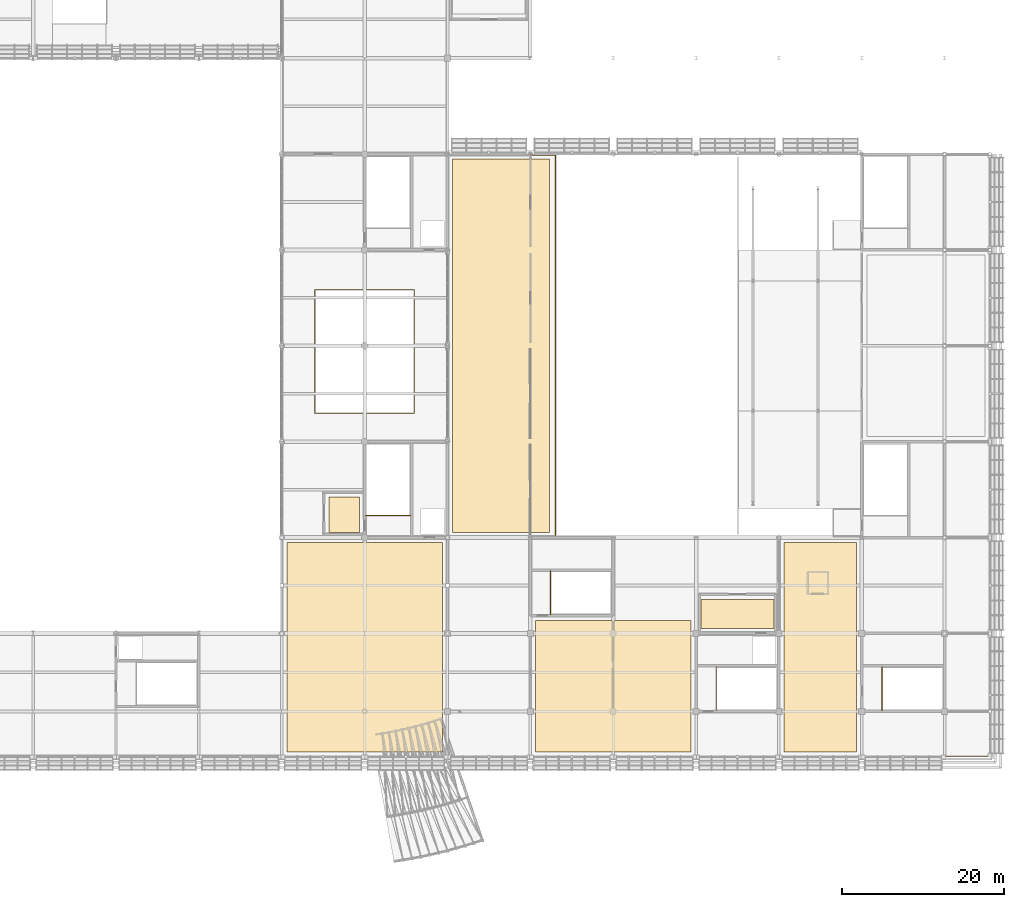
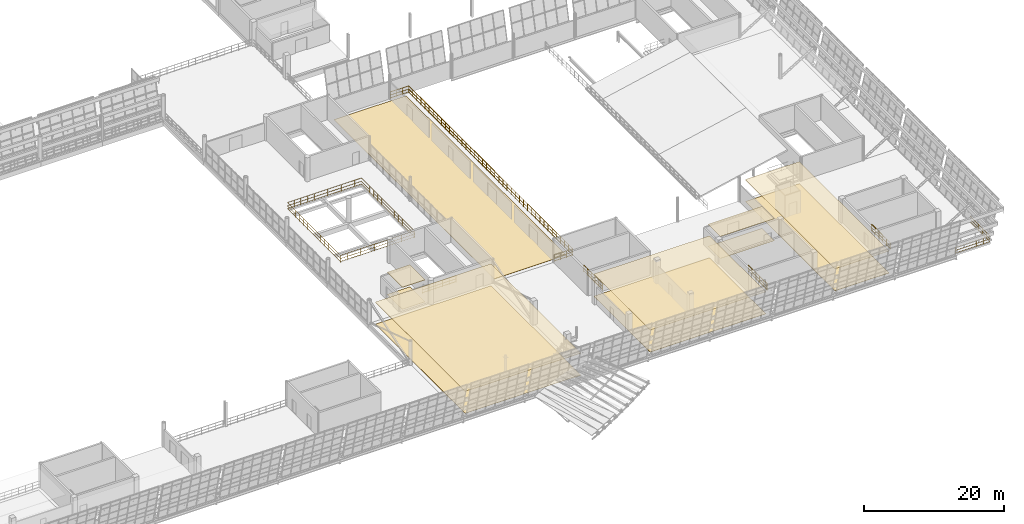
# One storey, part 153 of 157: 11 coverings, 7 railings.
"""IFC4 building model written with IfcOpenShell, lengths in metres."""

import ifcopenshell
import ifcopenshell.guid

model = None  # the IFC model being written
_history = None  # IfcOwnerHistory: only IFC2X3 demands one
_inside = {}  # id of a spatial element -> (the spatial element, [elements in it])
_under = {}  # id of a project, library or spatial element -> (it, [spatial elements below it])
_declared = {}  # id of a project -> (the project, [libraries it declares])
_typed = {}  # id of a type object -> (the type object, [elements of that type])
_made_of = {}  # id of a material, layer set ... -> (it, [elements and type objects made of it])


def new_model(schema):
    """Start an empty IFC model of exactly this schema.

    Asked for "IFC4X3", IfcOpenShell would pick the latest addendum, in which some entities
    have other attributes; the version numbers below select the first issue.
    IFC2X3 requires an IfcOwnerHistory on every rooted entity: one is made here for all.
    """
    global model, _history
    if schema == "IFC4X3":
        model = ifcopenshell.file(schema_version=(4, 3, 0, 0))
    else:
        model = ifcopenshell.file(schema=schema)
    _inside.clear()
    _under.clear()
    _declared.clear()
    _typed.clear()
    _made_of.clear()
    _history = None
    if model.schema == "IFC2X3":
        org = make("IfcOrganization", Name="unknown")
        user = make(
            "IfcPersonAndOrganization",
            ThePerson=make("IfcPerson", FamilyName="unknown"),
            TheOrganization=org,
        )
        app = make(
            "IfcApplication",
            ApplicationDeveloper=org,
            Version="unknown",
            ApplicationFullName="unknown",
            ApplicationIdentifier="unknown",
        )
        _history = make(
            "IfcOwnerHistory",
            OwningUser=user,
            OwningApplication=app,
            ChangeAction="ADDED",
            CreationDate=0,
        )
    return model


def make(cls, **values):
    """One entity of the class cls with the attributes given. An attribute that is None is left unset."""
    return model.create_entity(
        cls, **{name: value for name, value in values.items() if value is not None}
    )


def rooted(cls, **values):
    """An entity with a GlobalId (a new one), such as an element, a storey or a relation."""
    return make(cls, GlobalId=ifcopenshell.guid.new(), OwnerHistory=_history, **values)


def si_unit(unit_type, name, prefix=None):
    """IfcSIUnit, for example si_unit("LENGTHUNIT", "METRE", prefix="MILLI")."""
    return make("IfcSIUnit", UnitType=unit_type, Prefix=prefix, Name=name)


def assignment(units):
    """IfcUnitAssignment: the units of a project."""
    return None if units is None else make("IfcUnitAssignment", Units=units)


def point(xyz):
    """IfcCartesianPoint."""
    return None if xyz is None else make("IfcCartesianPoint", Coordinates=xyz)


def direction(xyz):
    """IfcDirection."""
    return None if xyz is None else make("IfcDirection", DirectionRatios=xyz)


def frame(location, z_axis=None, x_axis=None):
    """IfcAxis2Placement3D, a coordinate frame: its origin and axes. An axis left out is left unset."""
    return make(
        "IfcAxis2Placement3D",
        Location=point(location),
        Axis=direction(z_axis),
        RefDirection=direction(x_axis),
    )


def frame_2d(location, x_axis=None):
    """IfcAxis2Placement2D, a coordinate frame in the plane: its origin and x axis."""
    return make(
        "IfcAxis2Placement2D", Location=point(location), RefDirection=direction(x_axis)
    )


def origin():
    """The frame at (0, 0, 0) with its axes left unset."""
    return frame((0.0, 0.0, 0.0))


def origin_2d():
    """The frame at (0, 0) in the plane with its x axis left unset."""
    return frame_2d((0.0, 0.0))


def place(relative_to, where):
    """IfcLocalPlacement: puts the frame where relative to a parent placement (None: the world)."""
    return make(
        "IfcLocalPlacement", PlacementRelTo=relative_to, RelativePlacement=where
    )


def context(
    kind, dimensions, precision=None, world=None, true_north=None, identifier=None
):
    """IfcGeometricRepresentationContext, for example the 3D "Model" context."""
    return make(
        "IfcGeometricRepresentationContext",
        ContextIdentifier=identifier,
        ContextType=kind,
        CoordinateSpaceDimension=dimensions,
        Precision=precision,
        WorldCoordinateSystem=world,
        TrueNorth=true_north,
    )


def subcontext(parent, identifier, kind, view, scale=None):
    """IfcGeometricRepresentationSubContext, for example "Body" below "Model"."""
    return make(
        "IfcGeometricRepresentationSubContext",
        ContextIdentifier=identifier,
        ContextType=kind,
        ParentContext=parent,
        TargetScale=scale,
        TargetView=view,
    )


def project(units=None, contexts=None):
    """IfcProject with its units and contexts."""
    return rooted(
        "IfcProject",
        Name="project",
        RepresentationContexts=contexts,
        UnitsInContext=assignment(units),
    )


def spatial(cls, under=None, at=None, **own):
    """A site, building, storey or space (cls), placed at a placement, below another one or the project."""
    s = rooted(cls, ObjectPlacement=at, **own)
    if under is not None:
        _under.setdefault(under.id(), (under, []))[1].append(s)
    return s


def polyline(points):
    """IfcPolyline through the points."""
    return make("IfcPolyline", Points=[point(p) for p in points])


def profile(cls, at=None, kind="AREA", **sizes):
    """A parametric profile (cls). Its sizes go by their IFC names, for example OverallWidth=200.0."""
    return make(cls, ProfileType=kind, Position=at, **sizes)


def circle(**sizes):
    """IfcCircleProfileDef."""
    return profile("IfcCircleProfileDef", **sizes)


def outline(outer, holes=None, kind="AREA"):
    """IfcArbitraryClosedProfileDef: a profile drawn as a closed curve; with holes, ...WithVoids."""
    if holes is None:
        return make("IfcArbitraryClosedProfileDef", ProfileType=kind, OuterCurve=outer)
    return make(
        "IfcArbitraryProfileDefWithVoids",
        ProfileType=kind,
        OuterCurve=outer,
        InnerCurves=holes,
    )


def extrude(swept, where, along, depth):
    """IfcExtrudedAreaSolid: the profile swept, set in the frame where, extruded along a direction by depth."""
    return make(
        "IfcExtrudedAreaSolid",
        SweptArea=swept,
        Position=where,
        ExtrudedDirection=direction(along),
        Depth=depth,
    )


def shape(context_of_items, identifier, shape_type, items):
    """IfcShapeRepresentation: the items that make up one representation, for example the "Body"."""
    return make(
        "IfcShapeRepresentation",
        ContextOfItems=context_of_items,
        RepresentationIdentifier=identifier,
        RepresentationType=shape_type,
        Items=items,
    )


def material(Name=None, Category=None):
    """IfcMaterial."""
    return make("IfcMaterial", Name=Name, Category=Category)


def layer(
    of_material, thickness, ventilated=None, Name=None, Category=None, Priority=None
):
    """IfcMaterialLayer: one layer of a wall or slab, of a material (None: an air gap)."""
    return make(
        "IfcMaterialLayer",
        Material=of_material,
        LayerThickness=thickness,
        IsVentilated=ventilated,
        Name=Name,
        Category=Category,
        Priority=Priority,
    )


def layer_set(layers, Name=None):
    """IfcMaterialLayerSet."""
    return make("IfcMaterialLayerSet", MaterialLayers=layers, LayerSetName=Name)


def made_of(thing, what):
    """Note that an element or type object is made of a material, layer set ...; save() writes the relation."""
    if what is not None:
        _made_of.setdefault(what.id(), (what, []))[1].append(thing)
    return thing


def type_object(cls, material=None, **own):
    """A type object (cls), such as IfcWallType, which elements share."""
    return made_of(rooted(cls, **own), material)


def element(
    cls,
    number,
    at=None,
    inside=None,
    cuts=None,
    type_object=None,
    material=None,
    context=None,
    identifier="Body",
    shape_type=None,
    held_by="IfcProductDefinitionShape",
    body=None,
    shapes=None,
    **own,
):
    """One element of the class cls, such as IfcWall. Its Tag is "e" and its number.

    at: its placement. inside: the storey or other place that contains it. cuts: it is an
    opening in that element (IfcRelVoidsElement). A single representation is given by context,
    identifier, shape_type and body (its items); several are given by shapes. held_by: the class
    of the entity that holds the representations. save() writes the other relations.
    """
    e = rooted(cls, Tag="e%d" % number, ObjectPlacement=at, **own)
    if body is not None:
        shapes = [shape(context, identifier, shape_type, body)]
    if shapes is not None:
        e.Representation = make(held_by, Representations=shapes)
    if inside is not None:
        _inside.setdefault(inside.id(), (inside, []))[1].append(e)
    if cuts is not None:
        rooted(
            "IfcRelVoidsElement", RelatingBuildingElement=cuts, RelatedOpeningElement=e
        )
    if type_object is not None:
        _typed.setdefault(type_object.id(), (type_object, []))[1].append(e)
    return made_of(e, material)


def aggregate(whole, parts):
    """IfcRelAggregates: a whole, such as a stair, and the parts it consists of."""
    return rooted("IfcRelAggregates", RelatingObject=whole, RelatedObjects=parts)


def save(model, path):
    """Write the relations noted so far, then the file.

    IfcRelAggregates (storeys below a building ...), IfcRelContainedInSpatialStructure (elements
    in a storey), IfcRelDefinesByType, IfcRelAssociatesMaterial and IfcRelDeclares: one each for
    every whole, place, type object, material and project.
    """
    for whole, parts in _under.values():
        aggregate(whole, parts)
    for where, things in _inside.values():
        rooted(
            "IfcRelContainedInSpatialStructure",
            RelatedElements=things,
            RelatingStructure=where,
        )
    for kind, things in _typed.values():
        rooted("IfcRelDefinesByType", RelatedObjects=things, RelatingType=kind)
    for what, things in _made_of.values():
        rooted("IfcRelAssociatesMaterial", RelatedObjects=things, RelatingMaterial=what)
    for by, libraries in _declared.values():
        rooted("IfcRelDeclares", RelatingContext=by, RelatedDefinitions=libraries)
    model.write(path)


model = new_model("IFC4")

# Units and contexts
model_context = context("Model", 3, precision=1e-05, world=origin(), true_north=direction((0.0, 1.0)))
body_context = subcontext(model_context, "Body", "Model", "MODEL_VIEW")
ifc_project = project(units=[si_unit("LENGTHUNIT", "METRE"), si_unit("AREAUNIT", "SQUARE_METRE"), si_unit("VOLUMEUNIT", "CUBIC_METRE"), si_unit("PLANEANGLEUNIT", "RADIAN"), si_unit("MASSUNIT", "GRAM", prefix="KILO")], contexts=[model_context])

# Site, building, storey
site_placement = place(None, origin())
site = spatial("IfcSite", under=ifc_project, at=site_placement, CompositionType="ELEMENT")
building_placement = place(site_placement, origin())
building = spatial("IfcBuilding", under=site, at=building_placement, Name="Brelvane Convention Centre", CompositionType="ELEMENT")
storey_placement = place(building_placement, frame((0.0, 0.0, 10.800048828125)))
storey = spatial("IfcBuildingStorey", under=building, at=storey_placement, Name="L02", CompositionType="ELEMENT", Elevation=10.800048828125)

# Coverings
ifc_material_1 = material(Name="Perforated Anodised Aluminium Alloy 6063 Acoustic Baffle", Category="aluminium")
ifc_layer_1 = layer(ifc_material_1, 0.06005859375)
ifc_layer_set_1 = layer_set([ifc_layer_1], Name="Perforated Anodised Aluminium Alloy 6063 Acoustic Baffle")
covering_type_1 = type_object("IfcCoveringType", Name="Interior Finish CL-BAF-60", PredefinedType="CEILING", material=ifc_layer_set_1)
covering_1_placement = place(storey_placement, frame((0.0, 0.0, 3.83984375)))
element("IfcCovering", 1, at=covering_1_placement, inside=storey, type_object=covering_type_1, Name="Business Centre Bilateral Suite B Acoustic Ceiling (CL-BAF-60)", PredefinedType="CEILING", context=body_context, shape_type="SweptSolid", body=[
    extrude(outline(polyline([(174.030029296875, 14.22998046875), (193.169921875, 14.22998046875), (193.169921875, 30.3701171875), (174.030029296875, 30.3701171875), (174.030029296875, 14.22998046875)])), origin(), (0.0, 0.0, 1.0), 0.06005859375),
])
ifc_material_2 = material(Name="Perforated Anodised Aluminium Alloy 6063 Acoustic Baffle", Category="aluminium")
ifc_layer_2 = layer(ifc_material_2, 0.074951171875)
ifc_layer_set_2 = layer_set([ifc_layer_2], Name="Perforated Anodised Aluminium Alloy 6063 Acoustic Baffle")
covering_type_2 = type_object("IfcCoveringType", Name="Interior Finish CL-BAF-75", PredefinedType="CEILING", material=ifc_layer_set_2)
covering_2_placement = place(storey_placement, frame((0.0, 0.0, 3.824951171875)))
element("IfcCovering", 2, at=covering_2_placement, inside=storey, type_object=covering_type_2, Name="Delegate Club Dining Lounge Acoustic Ceiling (CL-BAF-75)", PredefinedType="CEILING", context=body_context, shape_type="SweptSolid", body=[
    extrude(outline(polyline([(204.6298828125, 14.22998046875), (213.570068359375, 14.22998046875), (213.570068359375, 39.969970703125), (204.6298828125, 39.969970703125), (204.6298828125, 14.22998046875)])), origin(), (0.0, 0.0, 1.0), 0.074951171875),
])
ifc_material_3 = material(Name="Perforated Anodised Aluminium Alloy 6063 Acoustic Baffle", Category="aluminium")
ifc_layer_3 = layer(ifc_material_3, 0.090087890625)
ifc_layer_set_3 = layer_set([ifc_layer_3], Name="Perforated Anodised Aluminium Alloy 6063 Acoustic Baffle")
covering_type_3 = type_object("IfcCoveringType", Name="Interior Finish CL-BAF-90", PredefinedType="CEILING", material=ifc_layer_set_3)
covering_3_placement = place(storey_placement, frame((0.0, 0.0, 3.81005859375)))
element("IfcCovering", 3, at=covering_3_placement, inside=storey, type_object=covering_type_3, Name="Firefighting Lift Lobby C3 Acoustic Ceiling (CL-BAF-90)", PredefinedType="CEILING", context=body_context, shape_type="SweptSolid", body=[
    extrude(outline(polyline([(148.6298828125, 41.22998046875), (152.3701171875, 41.22998046875), (152.3701171875, 45.570068359375), (148.6298828125, 45.570068359375), (148.6298828125, 41.22998046875)])), origin(), (0.0, 0.0, 1.0), 0.08984375),
])
covering_4_placement = place(storey_placement, frame((0.0, 0.0, 3.81005859375)))
element("IfcCovering", 4, at=covering_4_placement, inside=storey, type_object=covering_type_3, Name="Galleria Concourse Overlook Lounge Acoustic Ceiling (CL-BAF-90)", PredefinedType="CEILING", context=body_context, shape_type="SweptSolid", body=[
    extrude(outline(polyline([(143.429931640625, 14.22998046875), (162.570068359375, 14.22998046875), (162.570068359375, 39.969970703125), (143.429931640625, 39.969970703125), (143.429931640625, 14.22998046875)])), origin(), (0.0, 0.0, 1.0), 0.08984375),
])
ifc_material_4 = material(Name="Moisture-Resistant Acoustic Gypsum Ceiling Tile Grade A")
ifc_layer_4 = layer(ifc_material_4, 0.0419921875)
ifc_layer_set_4 = layer_set([ifc_layer_4], Name="Moisture-Resistant Acoustic Gypsum Ceiling Tile Grade A")
covering_type_4 = type_object("IfcCoveringType", Name="Interior Finish CL-GYP-42", PredefinedType="CEILING", material=ifc_layer_set_4)
covering_5_placement = place(storey_placement, frame((0.0, 0.0, 3.85791015625)))
element("IfcCovering", 5, at=covering_5_placement, inside=storey, type_object=covering_type_4, Name="Firefighting Lift Lobby C8 Acoustic Ceiling (CL-GYP-42)", PredefinedType="CEILING", context=body_context, shape_type="SweptSolid", body=[
    extrude(outline(polyline([(194.429931640625, 29.429931640625), (203.3701171875, 29.429931640625), (203.3701171875, 32.969970703125), (194.429931640625, 32.969970703125), (194.429931640625, 29.429931640625)])), origin(), (0.0, 0.0, 1.0), 0.0419921875),
])
ifc_material_5 = material(Name="Heavy-Duty Quartz-Filled Industrial Epoxy Screed Grade A")
ifc_layer_5 = layer(ifc_material_5, 0.034912109375)
ifc_layer_set_5 = layer_set([ifc_layer_5], Name="Heavy-Duty Quartz-Filled Industrial Epoxy Screed Grade A")
covering_type_5 = type_object("IfcCoveringType", Name="Interior Finish FL-EPX-35", PredefinedType="FLOORING", material=ifc_layer_set_5)
covering_6_placement = place(storey_placement, origin())
element("IfcCovering", 6, at=covering_6_placement, inside=storey, type_object=covering_type_5, Name="Firefighting Lift Lobby C3 Floor Finish (FL-EPX-35)", PredefinedType="FLOORING", context=body_context, shape_type="SweptSolid", body=[
    extrude(outline(polyline([(148.6298828125, 41.22998046875), (152.3701171875, 41.22998046875), (152.3701171875, 45.570068359375), (148.6298828125, 45.570068359375), (148.6298828125, 41.22998046875)])), origin(), (0.0, 0.0, 1.0), 0.034912109375),
])
covering_7_placement = place(storey_placement, origin())
element("IfcCovering", 7, at=covering_7_placement, inside=storey, type_object=covering_type_5, Name="Galleria Concourse Overlook Lounge Floor Finish (FL-EPX-35)", PredefinedType="FLOORING", context=body_context, shape_type="SweptSolid", body=[
    extrude(outline(polyline([(143.429931640625, 14.22998046875), (162.570068359375, 14.22998046875), (162.570068359375, 39.969970703125), (143.429931640625, 39.969970703125), (143.429931640625, 14.22998046875)])), origin(), (0.0, 0.0, 1.0), 0.034912109375),
])
ifc_material_6 = material(Name="Polished Basalt-Aggregate Terrazzo Screed Concrete M30", Category="masonry")
ifc_layer_6 = layer(ifc_material_6, 0.031982421875)
ifc_layer_set_6 = layer_set([ifc_layer_6], Name="Polished Basalt-Aggregate Terrazzo Screed Concrete M30")
covering_type_6 = type_object("IfcCoveringType", Name="Interior Finish FL-STN-32", PredefinedType="FLOORING", material=ifc_layer_set_6)
covering_8_placement = place(storey_placement, origin())
element("IfcCovering", 8, at=covering_8_placement, inside=storey, type_object=covering_type_6, Name="Pre-function Foyer Plenary Balcony Floor Finish (FL-STN-32)", PredefinedType="FLOORING", context=body_context, shape_type="SweptSolid", body=[
    extrude(outline(polyline([(163.830078125, 41.22998046875), (175.77001953125, 41.22998046875), (175.77001953125, 87.169921875), (163.830078125, 87.169921875), (163.830078125, 41.22998046875)])), origin(), (0.0, 0.0, 1.0), 0.031982421875),
])
ifc_material_7 = material(Name="Polished Basalt-Aggregate Terrazzo Screed Concrete M30", Category="masonry")
ifc_layer_7 = layer(ifc_material_7, 0.054931640625)
ifc_layer_set_7 = layer_set([ifc_layer_7], Name="Polished Basalt-Aggregate Terrazzo Screed Concrete M30")
covering_type_7 = type_object("IfcCoveringType", Name="Interior Finish FL-STN-55", PredefinedType="FLOORING", material=ifc_layer_set_7)
covering_9_placement = place(storey_placement, origin())
element("IfcCovering", 9, at=covering_9_placement, inside=storey, type_object=covering_type_7, Name="Firefighting Lift Lobby C8 Floor Finish (FL-STN-55)", PredefinedType="FLOORING", context=body_context, shape_type="SweptSolid", body=[
    extrude(outline(polyline([(194.429931640625, 29.429931640625), (203.3701171875, 29.429931640625), (203.3701171875, 32.969970703125), (194.429931640625, 32.969970703125), (194.429931640625, 29.429931640625)])), origin(), (0.0, 0.0, 1.0), 0.054931640625),
])
ifc_material_8 = material(Name="Polished Basalt-Aggregate Terrazzo Screed Concrete M30", Category="masonry")
ifc_layer_8 = layer(ifc_material_8, 0.0400390625)
ifc_layer_set_8 = layer_set([ifc_layer_8], Name="Polished Basalt-Aggregate Terrazzo Screed Concrete M30")
covering_type_8 = type_object("IfcCoveringType", Name="Interior Finish FL-TER-40", PredefinedType="FLOORING", material=ifc_layer_set_8)
covering_10_placement = place(storey_placement, origin())
element("IfcCovering", 10, at=covering_10_placement, inside=storey, type_object=covering_type_8, Name="Business Centre Bilateral Suite B Floor Finish (FL-TER-40)", PredefinedType="FLOORING", context=body_context, shape_type="SweptSolid", body=[
    extrude(outline(polyline([(174.030029296875, 14.22998046875), (193.169921875, 14.22998046875), (193.169921875, 30.3701171875), (174.030029296875, 30.3701171875), (174.030029296875, 14.22998046875)])), origin(), (0.0, 0.0, 1.0), 0.0400390625),
])
ifc_material_9 = material(Name="Polished Basalt-Aggregate Terrazzo Screed Concrete M30", Category="masonry")
ifc_layer_9 = layer(ifc_material_9, 0.050048828125)
ifc_layer_set_9 = layer_set([ifc_layer_9], Name="Polished Basalt-Aggregate Terrazzo Screed Concrete M30")
covering_type_9 = type_object("IfcCoveringType", Name="Interior Finish FL-TER-50", PredefinedType="FLOORING", material=ifc_layer_set_9)
covering_11_placement = place(storey_placement, origin())
element("IfcCovering", 11, at=covering_11_placement, inside=storey, type_object=covering_type_9, Name="Delegate Club Dining Lounge Floor Finish (FL-TER-50)", PredefinedType="FLOORING", context=body_context, shape_type="SweptSolid", body=[
    extrude(outline(polyline([(204.6298828125, 14.22998046875), (213.570068359375, 14.22998046875), (213.570068359375, 39.969970703125), (204.6298828125, 39.969970703125), (204.6298828125, 14.22998046875)])), origin(), (0.0, 0.0, 1.0), 0.050048828125),
])

# Railings
ifc_material_10 = material(Name="Steel E350 (350 MPa)", Category="steel")
railing_type_1 = type_object("IfcRailingType", Name="Railing BL-ATR-2", PredefinedType="BALUSTRADE", material=ifc_material_10)
railing_1_placement = place(storey_placement, frame((146.8798828125, 55.8798828125, 0.0)))
element("IfcRailing", 12, at=railing_1_placement, inside=storey, type_object=railing_type_1, Name="Railing BL-ATR-2 L02-atrium_well_06", PredefinedType="BALUSTRADE", context=body_context, shape_type="SweptSolid", body=[
    extrude(circle(Radius=0.02392578125, at=origin_2d()), frame((0.0, 0.0, 1.19580078125), z_axis=(1.0, 0.0, 0.0), x_axis=(0.0, 1.0, 0.0)), (0.0, 0.0, 1.0), 12.240234375),
    extrude(circle(Radius=0.02392578125, at=origin_2d()), frame((0.0, 0.0, 0.63427734375), z_axis=(1.0, 0.0, 0.0), x_axis=(0.0, 1.0, 0.0)), (0.0, 0.0, 1.0), 12.240234375),
    extrude(circle(Radius=0.02392578125, at=origin_2d()), frame((0.0, 0.0, 0.139892578125), z_axis=(1.0, 0.0, 0.0), x_axis=(0.0, 1.0, 0.0)), (0.0, 0.0, 1.0), 12.240234375),
    extrude(circle(Radius=0.02392578125, at=origin_2d()), frame((12.240234375, 0.0, 1.19580078125), z_axis=(0.0, 1.0, 0.0), x_axis=(-1.0, 0.0, 0.0)), (0.0, 0.0, 1.0), 15.240234375),
    extrude(circle(Radius=0.02392578125, at=origin_2d()), frame((12.240234375, 0.0, 0.63427734375), z_axis=(0.0, 1.0, 0.0), x_axis=(-1.0, 0.0, 0.0)), (0.0, 0.0, 1.0), 15.240234375),
    extrude(circle(Radius=0.02392578125, at=origin_2d()), frame((12.240234375, 0.0, 0.139892578125), z_axis=(0.0, 1.0, 0.0), x_axis=(-1.0, 0.0, 0.0)), (0.0, 0.0, 1.0), 15.240234375),
    extrude(circle(Radius=0.02392578125, at=origin_2d()), frame((12.240234375, 15.240234375, 1.19580078125), z_axis=(-1.0, 0.0, 0.0), x_axis=(0.0, -1.0, 0.0)), (0.0, 0.0, 1.0), 12.240234375),
    extrude(circle(Radius=0.02392578125, at=origin_2d()), frame((12.240234375, 15.240234375, 0.63427734375), z_axis=(-1.0, 0.0, 0.0), x_axis=(0.0, -1.0, 0.0)), (0.0, 0.0, 1.0), 12.240234375),
    extrude(circle(Radius=0.02392578125, at=origin_2d()), frame((12.240234375, 15.240234375, 0.139892578125), z_axis=(-1.0, 0.0, 0.0), x_axis=(0.0, -1.0, 0.0)), (0.0, 0.0, 1.0), 12.240234375),
    extrude(circle(Radius=0.02392578125, at=origin_2d()), frame((0.0, 15.240234375, 1.19580078125), z_axis=(0.0, -1.0, 0.0), x_axis=(1.0, 0.0, 0.0)), (0.0, 0.0, 1.0), 15.235107421875),
    extrude(circle(Radius=0.02392578125, at=origin_2d()), frame((0.0, 15.240234375, 0.63427734375), z_axis=(0.0, -1.0, 0.0), x_axis=(1.0, 0.0, 0.0)), (0.0, 0.0, 1.0), 15.235107421875),
    extrude(circle(Radius=0.02392578125, at=origin_2d()), frame((0.0, 15.240234375, 0.139892578125), z_axis=(0.0, -1.0, 0.0), x_axis=(1.0, 0.0, 0.0)), (0.0, 0.0, 1.0), 15.235107421875),
    extrude(circle(Radius=0.02099609375, at=origin_2d()), origin(), (0.0, 0.0, 1.0), 1.171875),
    extrude(circle(Radius=0.02099609375, at=origin_2d()), frame((1.11279296875, 0.0, 0.0)), (0.0, 0.0, 1.0), 1.171875),
    extrude(circle(Radius=0.02099609375, at=origin_2d()), frame((2.2255859375, 0.0, 0.0)), (0.0, 0.0, 1.0), 1.171875),
    extrude(circle(Radius=0.02099609375, at=origin_2d()), frame((3.338134765625, 0.0, 0.0)), (0.0, 0.0, 1.0), 1.171875),
    extrude(circle(Radius=0.02099609375, at=origin_2d()), frame((4.450927734375, 0.0, 0.0)), (0.0, 0.0, 1.0), 1.171875),
    extrude(circle(Radius=0.02099609375, at=origin_2d()), frame((5.563720703125, 0.0, 0.0)), (0.0, 0.0, 1.0), 1.171875),
    extrude(circle(Radius=0.02099609375, at=origin_2d()), frame((6.676513671875, 0.0, 0.0)), (0.0, 0.0, 1.0), 1.171875),
    extrude(circle(Radius=0.02099609375, at=origin_2d()), frame((7.789306640625, 0.0, 0.0)), (0.0, 0.0, 1.0), 1.171875),
    extrude(circle(Radius=0.02099609375, at=origin_2d()), frame((8.902099609375, 0.0, 0.0)), (0.0, 0.0, 1.0), 1.171875),
    extrude(circle(Radius=0.02099609375, at=origin_2d()), frame((10.0146484375, 0.0, 0.0)), (0.0, 0.0, 1.0), 1.171875),
    extrude(circle(Radius=0.02099609375, at=origin_2d()), frame((11.12744140625, 0.0, 0.0)), (0.0, 0.0, 1.0), 1.171875),
    extrude(circle(Radius=0.02099609375, at=origin_2d()), frame((12.240234375, 0.0, 0.0)), (0.0, 0.0, 1.0), 1.171875),
    extrude(circle(Radius=0.02099609375, at=origin_2d()), frame((12.240234375, 1.17236328125, 0.0)), (0.0, 0.0, 1.0), 1.171875),
    extrude(circle(Radius=0.02099609375, at=origin_2d()), frame((12.240234375, 2.3447265625, 0.0)), (0.0, 0.0, 1.0), 1.171875),
    extrude(circle(Radius=0.02099609375, at=origin_2d()), frame((12.240234375, 3.51708984375, 0.0)), (0.0, 0.0, 1.0), 1.171875),
    extrude(circle(Radius=0.02099609375, at=origin_2d()), frame((12.240234375, 4.689208984375, 0.0)), (0.0, 0.0, 1.0), 1.171875),
    extrude(circle(Radius=0.02099609375, at=origin_2d()), frame((12.240234375, 5.861572265625, 0.0)), (0.0, 0.0, 1.0), 1.171875),
    extrude(circle(Radius=0.02099609375, at=origin_2d()), frame((12.240234375, 7.033935546875, 0.0)), (0.0, 0.0, 1.0), 1.171875),
    extrude(circle(Radius=0.02099609375, at=origin_2d()), frame((12.240234375, 8.206298828125, 0.0)), (0.0, 0.0, 1.0), 1.171875),
    extrude(circle(Radius=0.02099609375, at=origin_2d()), frame((12.240234375, 9.378662109375, 0.0)), (0.0, 0.0, 1.0), 1.171875),
    extrude(circle(Radius=0.02099609375, at=origin_2d()), frame((12.240234375, 10.551025390625, 0.0)), (0.0, 0.0, 1.0), 1.171875),
    extrude(circle(Radius=0.02099609375, at=origin_2d()), frame((12.240234375, 11.72314453125, 0.0)), (0.0, 0.0, 1.0), 1.171875),
    extrude(circle(Radius=0.02099609375, at=origin_2d()), frame((12.240234375, 12.8955078125, 0.0)), (0.0, 0.0, 1.0), 1.171875),
    extrude(circle(Radius=0.02099609375, at=origin_2d()), frame((12.240234375, 14.06787109375, 0.0)), (0.0, 0.0, 1.0), 1.171875),
    extrude(circle(Radius=0.02099609375, at=origin_2d()), frame((12.240234375, 15.240234375, 0.0)), (0.0, 0.0, 1.0), 1.171875),
    extrude(circle(Radius=0.02099609375, at=origin_2d()), frame((11.12744140625, 15.240234375, 0.0)), (0.0, 0.0, 1.0), 1.171875),
    extrude(circle(Radius=0.02099609375, at=origin_2d()), frame((10.0146484375, 15.240234375, 0.0)), (0.0, 0.0, 1.0), 1.171875),
    extrude(circle(Radius=0.02099609375, at=origin_2d()), frame((8.902099609375, 15.240234375, 0.0)), (0.0, 0.0, 1.0), 1.171875),
    extrude(circle(Radius=0.02099609375, at=origin_2d()), frame((7.789306640625, 15.240234375, 0.0)), (0.0, 0.0, 1.0), 1.171875),
    extrude(circle(Radius=0.02099609375, at=origin_2d()), frame((6.676513671875, 15.240234375, 0.0)), (0.0, 0.0, 1.0), 1.171875),
    extrude(circle(Radius=0.02099609375, at=origin_2d()), frame((5.563720703125, 15.240234375, 0.0)), (0.0, 0.0, 1.0), 1.171875),
    extrude(circle(Radius=0.02099609375, at=origin_2d()), frame((4.450927734375, 15.240234375, 0.0)), (0.0, 0.0, 1.0), 1.171875),
    extrude(circle(Radius=0.02099609375, at=origin_2d()), frame((3.338134765625, 15.240234375, 0.0)), (0.0, 0.0, 1.0), 1.171875),
    extrude(circle(Radius=0.02099609375, at=origin_2d()), frame((2.2255859375, 15.240234375, 0.0)), (0.0, 0.0, 1.0), 1.171875),
    extrude(circle(Radius=0.02099609375, at=origin_2d()), frame((1.11279296875, 15.240234375, 0.0)), (0.0, 0.0, 1.0), 1.171875),
    extrude(circle(Radius=0.02099609375, at=origin_2d()), frame((0.0, 15.240234375, 0.0)), (0.0, 0.0, 1.0), 1.171875),
    extrude(circle(Radius=0.02099609375, at=origin_2d()), frame((0.0, 14.068359375, 0.0)), (0.0, 0.0, 1.0), 1.171875),
    extrude(circle(Radius=0.02099609375, at=origin_2d()), frame((0.0, 12.896484375, 0.0)), (0.0, 0.0, 1.0), 1.171875),
    extrude(circle(Radius=0.02099609375, at=origin_2d()), frame((0.0, 11.724365234375, 0.0)), (0.0, 0.0, 1.0), 1.171875),
    extrude(circle(Radius=0.02099609375, at=origin_2d()), frame((0.0, 10.552490234375, 0.0)), (0.0, 0.0, 1.0), 1.171875),
    extrude(circle(Radius=0.02099609375, at=origin_2d()), frame((0.0, 9.380615234375, 0.0)), (0.0, 0.0, 1.0), 1.171875),
    extrude(circle(Radius=0.02099609375, at=origin_2d()), frame((0.0, 8.208740234375, 0.0)), (0.0, 0.0, 1.0), 1.171875),
    extrude(circle(Radius=0.02099609375, at=origin_2d()), frame((0.0, 7.03662109375, 0.0)), (0.0, 0.0, 1.0), 1.171875),
    extrude(circle(Radius=0.02099609375, at=origin_2d()), frame((0.0, 5.86474609375, 0.0)), (0.0, 0.0, 1.0), 1.171875),
    extrude(circle(Radius=0.02099609375, at=origin_2d()), frame((0.0, 4.69287109375, 0.0)), (0.0, 0.0, 1.0), 1.171875),
    extrude(circle(Radius=0.02099609375, at=origin_2d()), frame((0.0, 3.52099609375, 0.0)), (0.0, 0.0, 1.0), 1.171875),
    extrude(circle(Radius=0.02099609375, at=origin_2d()), frame((0.0, 2.348876953125, 0.0)), (0.0, 0.0, 1.0), 1.171875),
    extrude(circle(Radius=0.02099609375, at=origin_2d()), frame((0.0, 1.177001953125, 0.0)), (0.0, 0.0, 1.0), 1.171875),
    extrude(circle(Radius=0.02099609375, at=origin_2d()), frame((0.0, 0.005126953125, 0.0)), (0.0, 0.0, 1.0), 1.171875),
])
railing_2_placement = place(storey_placement, frame((173.449951171875, 40.699951171875, 0.0)))
element("IfcRailing", 13, at=railing_2_placement, inside=storey, type_object=railing_type_1, Name="Railing BL-ATR-2 L02-plen_conc_l02_guard", PredefinedType="BALUSTRADE", context=body_context, shape_type="SweptSolid", body=[
    extrude(circle(Radius=0.02392578125, at=origin_2d()), frame((0.0, 0.0, 1.19580078125), z_axis=(1.0, 0.0, 0.0), x_axis=(0.0, 1.0, 0.0)), (0.0, 0.0, 1.0), 3.050048828125),
    extrude(circle(Radius=0.02392578125, at=origin_2d()), frame((0.0, 0.0, 0.63427734375), z_axis=(1.0, 0.0, 0.0), x_axis=(0.0, 1.0, 0.0)), (0.0, 0.0, 1.0), 3.050048828125),
    extrude(circle(Radius=0.02392578125, at=origin_2d()), frame((0.0, 0.0, 0.139892578125), z_axis=(1.0, 0.0, 0.0), x_axis=(0.0, 1.0, 0.0)), (0.0, 0.0, 1.0), 3.050048828125),
    extrude(circle(Radius=0.02392578125, at=origin_2d()), frame((3.050048828125, 0.0, 1.19580078125), z_axis=(0.0, 1.0, 0.0), x_axis=(-1.0, 0.0, 0.0)), (0.0, 0.0, 1.0), 47.0),
    extrude(circle(Radius=0.02392578125, at=origin_2d()), frame((3.050048828125, 0.0, 0.63427734375), z_axis=(0.0, 1.0, 0.0), x_axis=(-1.0, 0.0, 0.0)), (0.0, 0.0, 1.0), 47.0),
    extrude(circle(Radius=0.02392578125, at=origin_2d()), frame((3.050048828125, 0.0, 0.139892578125), z_axis=(0.0, 1.0, 0.0), x_axis=(-1.0, 0.0, 0.0)), (0.0, 0.0, 1.0), 47.0),
    extrude(circle(Radius=0.02392578125, at=origin_2d()), frame((3.050048828125, 47.0, 1.19580078125), z_axis=(-1.0, 0.0, 0.0), x_axis=(0.0, -1.0, 0.0)), (0.0, 0.0, 1.0), 3.050048828125),
    extrude(circle(Radius=0.02392578125, at=origin_2d()), frame((3.050048828125, 47.0, 0.63427734375), z_axis=(-1.0, 0.0, 0.0), x_axis=(0.0, -1.0, 0.0)), (0.0, 0.0, 1.0), 3.050048828125),
    extrude(circle(Radius=0.02392578125, at=origin_2d()), frame((3.050048828125, 47.0, 0.139892578125), z_axis=(-1.0, 0.0, 0.0), x_axis=(0.0, -1.0, 0.0)), (0.0, 0.0, 1.0), 3.050048828125),
    extrude(circle(Radius=0.02099609375, at=origin_2d()), origin(), (0.0, 0.0, 1.0), 1.171875),
    extrude(circle(Radius=0.02099609375, at=origin_2d()), frame((1.0166015625, 0.0, 0.0)), (0.0, 0.0, 1.0), 1.171875),
    extrude(circle(Radius=0.02099609375, at=origin_2d()), frame((2.033447265625, 0.0, 0.0)), (0.0, 0.0, 1.0), 1.171875),
    extrude(circle(Radius=0.02099609375, at=origin_2d()), frame((3.050048828125, 0.0, 0.0)), (0.0, 0.0, 1.0), 1.171875),
    extrude(circle(Radius=0.02099609375, at=origin_2d()), frame((3.050048828125, 1.175048828125, 0.0)), (0.0, 0.0, 1.0), 1.171875),
    extrude(circle(Radius=0.02099609375, at=origin_2d()), frame((3.050048828125, 2.35009765625, 0.0)), (0.0, 0.0, 1.0), 1.171875),
    extrude(circle(Radius=0.02099609375, at=origin_2d()), frame((3.050048828125, 3.52490234375, 0.0)), (0.0, 0.0, 1.0), 1.171875),
    extrude(circle(Radius=0.02099609375, at=origin_2d()), frame((3.050048828125, 4.699951171875, 0.0)), (0.0, 0.0, 1.0), 1.171875),
    extrude(circle(Radius=0.02099609375, at=origin_2d()), frame((3.050048828125, 5.875, 0.0)), (0.0, 0.0, 1.0), 1.171875),
    extrude(circle(Radius=0.02099609375, at=origin_2d()), frame((3.050048828125, 7.050048828125, 0.0)), (0.0, 0.0, 1.0), 1.171875),
    extrude(circle(Radius=0.02099609375, at=origin_2d()), frame((3.050048828125, 8.22509765625, 0.0)), (0.0, 0.0, 1.0), 1.171875),
    extrude(circle(Radius=0.02099609375, at=origin_2d()), frame((3.050048828125, 9.39990234375, 0.0)), (0.0, 0.0, 1.0), 1.171875),
    extrude(circle(Radius=0.02099609375, at=origin_2d()), frame((3.050048828125, 10.574951171875, 0.0)), (0.0, 0.0, 1.0), 1.171875),
    extrude(circle(Radius=0.02099609375, at=origin_2d()), frame((3.050048828125, 11.75, 0.0)), (0.0, 0.0, 1.0), 1.171875),
    extrude(circle(Radius=0.02099609375, at=origin_2d()), frame((3.050048828125, 12.925048828125, 0.0)), (0.0, 0.0, 1.0), 1.171875),
    extrude(circle(Radius=0.02099609375, at=origin_2d()), frame((3.050048828125, 14.10009765625, 0.0)), (0.0, 0.0, 1.0), 1.171875),
    extrude(circle(Radius=0.02099609375, at=origin_2d()), frame((3.050048828125, 15.27490234375, 0.0)), (0.0, 0.0, 1.0), 1.171875),
    extrude(circle(Radius=0.02099609375, at=origin_2d()), frame((3.050048828125, 16.449951171875, 0.0)), (0.0, 0.0, 1.0), 1.171875),
    extrude(circle(Radius=0.02099609375, at=origin_2d()), frame((3.050048828125, 17.625, 0.0)), (0.0, 0.0, 1.0), 1.171875),
    extrude(circle(Radius=0.02099609375, at=origin_2d()), frame((3.050048828125, 18.800048828125, 0.0)), (0.0, 0.0, 1.0), 1.171875),
    extrude(circle(Radius=0.02099609375, at=origin_2d()), frame((3.050048828125, 19.97509765625, 0.0)), (0.0, 0.0, 1.0), 1.171875),
    extrude(circle(Radius=0.02099609375, at=origin_2d()), frame((3.050048828125, 21.14990234375, 0.0)), (0.0, 0.0, 1.0), 1.171875),
    extrude(circle(Radius=0.02099609375, at=origin_2d()), frame((3.050048828125, 22.324951171875, 0.0)), (0.0, 0.0, 1.0), 1.171875),
    extrude(circle(Radius=0.02099609375, at=origin_2d()), frame((3.050048828125, 23.5, 0.0)), (0.0, 0.0, 1.0), 1.171875),
    extrude(circle(Radius=0.02099609375, at=origin_2d()), frame((3.050048828125, 24.675048828125, 0.0)), (0.0, 0.0, 1.0), 1.171875),
    extrude(circle(Radius=0.02099609375, at=origin_2d()), frame((3.050048828125, 25.85009765625, 0.0)), (0.0, 0.0, 1.0), 1.171875),
    extrude(circle(Radius=0.02099609375, at=origin_2d()), frame((3.050048828125, 27.02490234375, 0.0)), (0.0, 0.0, 1.0), 1.171875),
    extrude(circle(Radius=0.02099609375, at=origin_2d()), frame((3.050048828125, 28.199951171875, 0.0)), (0.0, 0.0, 1.0), 1.171875),
    extrude(circle(Radius=0.02099609375, at=origin_2d()), frame((3.050048828125, 29.375, 0.0)), (0.0, 0.0, 1.0), 1.171875),
    extrude(circle(Radius=0.02099609375, at=origin_2d()), frame((3.050048828125, 30.550048828125, 0.0)), (0.0, 0.0, 1.0), 1.171875),
    extrude(circle(Radius=0.02099609375, at=origin_2d()), frame((3.050048828125, 31.72509765625, 0.0)), (0.0, 0.0, 1.0), 1.171875),
    extrude(circle(Radius=0.02099609375, at=origin_2d()), frame((3.050048828125, 32.89990234375, 0.0)), (0.0, 0.0, 1.0), 1.171875),
    extrude(circle(Radius=0.02099609375, at=origin_2d()), frame((3.050048828125, 34.074951171875, 0.0)), (0.0, 0.0, 1.0), 1.171875),
    extrude(circle(Radius=0.02099609375, at=origin_2d()), frame((3.050048828125, 35.25, 0.0)), (0.0, 0.0, 1.0), 1.171875),
    extrude(circle(Radius=0.02099609375, at=origin_2d()), frame((3.050048828125, 36.425048828125, 0.0)), (0.0, 0.0, 1.0), 1.171875),
    extrude(circle(Radius=0.02099609375, at=origin_2d()), frame((3.050048828125, 37.60009765625, 0.0)), (0.0, 0.0, 1.0), 1.171875),
    extrude(circle(Radius=0.02099609375, at=origin_2d()), frame((3.050048828125, 38.77490234375, 0.0)), (0.0, 0.0, 1.0), 1.171875),
    extrude(circle(Radius=0.02099609375, at=origin_2d()), frame((3.050048828125, 39.949951171875, 0.0)), (0.0, 0.0, 1.0), 1.171875),
    extrude(circle(Radius=0.02099609375, at=origin_2d()), frame((3.050048828125, 41.125, 0.0)), (0.0, 0.0, 1.0), 1.171875),
    extrude(circle(Radius=0.02099609375, at=origin_2d()), frame((3.050048828125, 42.300048828125, 0.0)), (0.0, 0.0, 1.0), 1.171875),
    extrude(circle(Radius=0.02099609375, at=origin_2d()), frame((3.050048828125, 43.47509765625, 0.0)), (0.0, 0.0, 1.0), 1.171875),
    extrude(circle(Radius=0.02099609375, at=origin_2d()), frame((3.050048828125, 44.64990234375, 0.0)), (0.0, 0.0, 1.0), 1.171875),
    extrude(circle(Radius=0.02099609375, at=origin_2d()), frame((3.050048828125, 45.824951171875, 0.0)), (0.0, 0.0, 1.0), 1.171875),
    extrude(circle(Radius=0.02099609375, at=origin_2d()), frame((3.050048828125, 47.0, 0.0)), (0.0, 0.0, 1.0), 1.171875),
    extrude(circle(Radius=0.02099609375, at=origin_2d()), frame((2.033447265625, 47.0, 0.0)), (0.0, 0.0, 1.0), 1.171875),
    extrude(circle(Radius=0.02099609375, at=origin_2d()), frame((1.0166015625, 47.0, 0.0)), (0.0, 0.0, 1.0), 1.171875),
    extrude(circle(Radius=0.02099609375, at=origin_2d()), frame((0.0, 47.0, 0.0)), (0.0, 0.0, 1.0), 1.171875),
])
ifc_material_11 = material(Name="Steel E350 (350 MPa)", Category="steel")
railing_type_2 = type_object("IfcRailingType", Name="Railing GR-EXT-1", PredefinedType="GUARDRAIL", material=ifc_material_11)
railing_3_placement = place(storey_placement, frame((224.25, 13.659912109375, 0.0)))
element("IfcRailing", 14, at=railing_3_placement, inside=storey, type_object=railing_type_2, Name="Railing GR-EXT-1 L02-bus_east_edge_L02", PredefinedType="GUARDRAIL", context=body_context, shape_type="SweptSolid", body=[
    extrude(circle(Radius=0.02392578125, at=origin_2d()), frame((0.0, 0.0, 1.1259765625), z_axis=(1.0, 0.0, 0.0), x_axis=(0.0, 1.0, 0.0)), (0.0, 0.0, 1.0), 5.669921875),
    extrude(circle(Radius=0.02392578125, at=origin_2d()), frame((0.0, 0.0, 0.597900390625), z_axis=(1.0, 0.0, 0.0), x_axis=(0.0, 1.0, 0.0)), (0.0, 0.0, 1.0), 5.669921875),
    extrude(circle(Radius=0.02392578125, at=origin_2d()), frame((0.0, 0.0, 0.139892578125), z_axis=(1.0, 0.0, 0.0), x_axis=(0.0, 1.0, 0.0)), (0.0, 0.0, 1.0), 5.669921875),
    extrude(circle(Radius=0.02392578125, at=origin_2d()), frame((5.669921875, 0.0, 1.1259765625), z_axis=(0.0, 1.0, 0.0), x_axis=(-1.0, 0.0, 0.0)), (0.0, 0.0, 1.0), 5.56005859375),
    extrude(circle(Radius=0.02392578125, at=origin_2d()), frame((5.669921875, 0.0, 0.597900390625), z_axis=(0.0, 1.0, 0.0), x_axis=(-1.0, 0.0, 0.0)), (0.0, 0.0, 1.0), 5.56005859375),
    extrude(circle(Radius=0.02392578125, at=origin_2d()), frame((5.669921875, 0.0, 0.139892578125), z_axis=(0.0, 1.0, 0.0), x_axis=(-1.0, 0.0, 0.0)), (0.0, 0.0, 1.0), 5.56005859375),
    extrude(circle(Radius=0.02099609375, at=origin_2d()), origin(), (0.0, 0.0, 1.0), 1.101806640625),
    extrude(circle(Radius=0.02099609375, at=origin_2d()), frame((1.134033203125, 0.0, 0.0)), (0.0, 0.0, 1.0), 1.101806640625),
    extrude(circle(Radius=0.02099609375, at=origin_2d()), frame((2.26806640625, 0.0, 0.0)), (0.0, 0.0, 1.0), 1.101806640625),
    extrude(circle(Radius=0.02099609375, at=origin_2d()), frame((3.40185546875, 0.0, 0.0)), (0.0, 0.0, 1.0), 1.101806640625),
    extrude(circle(Radius=0.02099609375, at=origin_2d()), frame((4.535888671875, 0.0, 0.0)), (0.0, 0.0, 1.0), 1.101806640625),
    extrude(circle(Radius=0.02099609375, at=origin_2d()), frame((5.669921875, 0.0, 0.0)), (0.0, 0.0, 1.0), 1.101806640625),
    extrude(circle(Radius=0.02099609375, at=origin_2d()), frame((5.669921875, 1.112060546875, 0.0)), (0.0, 0.0, 1.0), 1.101806640625),
    extrude(circle(Radius=0.02099609375, at=origin_2d()), frame((5.669921875, 2.22412109375, 0.0)), (0.0, 0.0, 1.0), 1.101806640625),
    extrude(circle(Radius=0.02099609375, at=origin_2d()), frame((5.669921875, 3.3359375, 0.0)), (0.0, 0.0, 1.0), 1.101806640625),
    extrude(circle(Radius=0.02099609375, at=origin_2d()), frame((5.669921875, 4.447998046875, 0.0)), (0.0, 0.0, 1.0), 1.101806640625),
    extrude(circle(Radius=0.02099609375, at=origin_2d()), frame((5.669921875, 5.56005859375, 0.0)), (0.0, 0.0, 1.0), 1.101806640625),
])
ifc_material_12 = material(Name="Steel E350 (350 MPa)", Category="steel")
railing_type_3 = type_object("IfcRailingType", Name="Stair Railing GR-ST-2", PredefinedType="GUARDRAIL", material=ifc_material_12)
railing_4_placement = place(storey_placement, frame((153.1201171875, 43.2900390625, -0.02001953125)))
element("IfcRailing", 15, at=railing_4_placement, inside=storey, type_object=railing_type_3, Name="Stair ST-03 L02 Top Well Guard", PredefinedType="GUARDRAIL", context=body_context, shape_type="SweptSolid", body=[
    extrude(circle(Radius=0.02392578125, at=origin_2d()), frame((0.0, 0.0, 1.15576171875), z_axis=(1.0, 0.0, 0.0), x_axis=(0.0, 1.0, 0.0)), (0.0, 0.0, 1.0), 5.559814453125),
    extrude(circle(Radius=0.02392578125, at=origin_2d()), frame((0.0, 0.0, 0.613525390625), z_axis=(1.0, 0.0, 0.0), x_axis=(0.0, 1.0, 0.0)), (0.0, 0.0, 1.0), 5.559814453125),
    extrude(circle(Radius=0.02392578125, at=origin_2d()), frame((0.0, 0.0, 0.139892578125), z_axis=(1.0, 0.0, 0.0), x_axis=(0.0, 1.0, 0.0)), (0.0, 0.0, 1.0), 5.559814453125),
    extrude(circle(Radius=0.02099609375, at=origin_2d()), origin(), (0.0, 0.0, 1.0), 1.1318359375),
    extrude(circle(Radius=0.02099609375, at=origin_2d()), frame((1.112060546875, 0.0, 0.0)), (0.0, 0.0, 1.0), 1.1318359375),
    extrude(circle(Radius=0.02099609375, at=origin_2d()), frame((2.223876953125, 0.0, 0.0)), (0.0, 0.0, 1.0), 1.1318359375),
    extrude(circle(Radius=0.02099609375, at=origin_2d()), frame((3.3359375, 0.0, 0.0)), (0.0, 0.0, 1.0), 1.1318359375),
    extrude(circle(Radius=0.02099609375, at=origin_2d()), frame((4.44775390625, 0.0, 0.0)), (0.0, 0.0, 1.0), 1.1318359375),
    extrude(circle(Radius=0.02099609375, at=origin_2d()), frame((5.559814453125, 0.0, 0.0)), (0.0, 0.0, 1.0), 1.1318359375),
])
for number, where, name in (
    (16, (196.2900390625, 19.320068359375, -0.02001953125), "Stair ST-08 L02 Top Well Guard"),
    (17, (216.68994140625, 19.320068359375, -0.02001953125), "Stair ST-14 L02 Top Well Guard"),
    (18, (175.889892578125, 31.1201171875, -0.02001953125), "Stair ST-18 L02 Top Well Guard"),
):
    element("IfcRailing", number, at=place(storey_placement, frame(where)), inside=storey, type_object=railing_type_3, Name=name, PredefinedType="GUARDRAIL", context=body_context, shape_type="SweptSolid", body=[
        extrude(circle(Radius=0.02392578125, at=origin_2d()), frame((0.0, 0.0, 1.15576171875), z_axis=(0.0, 1.0, 0.0), x_axis=(-1.0, 0.0, 0.0)), (0.0, 0.0, 1.0), 5.35986328125),
        extrude(circle(Radius=0.02392578125, at=origin_2d()), frame((0.0, 0.0, 0.613525390625), z_axis=(0.0, 1.0, 0.0), x_axis=(-1.0, 0.0, 0.0)), (0.0, 0.0, 1.0), 5.35986328125),
        extrude(circle(Radius=0.02392578125, at=origin_2d()), frame((0.0, 0.0, 0.139892578125), z_axis=(0.0, 1.0, 0.0), x_axis=(-1.0, 0.0, 0.0)), (0.0, 0.0, 1.0), 5.35986328125),
        extrude(circle(Radius=0.02099609375, at=origin_2d()), origin(), (0.0, 0.0, 1.0), 1.1318359375),
        extrude(circle(Radius=0.02099609375, at=origin_2d()), frame((0.0, 1.072021484375, 0.0)), (0.0, 0.0, 1.0), 1.1318359375),
        extrude(circle(Radius=0.02099609375, at=origin_2d()), frame((0.0, 2.14404296875, 0.0)), (0.0, 0.0, 1.0), 1.1318359375),
        extrude(circle(Radius=0.02099609375, at=origin_2d()), frame((0.0, 3.2158203125, 0.0)), (0.0, 0.0, 1.0), 1.1318359375),
        extrude(circle(Radius=0.02099609375, at=origin_2d()), frame((0.0, 4.287841796875, 0.0)), (0.0, 0.0, 1.0), 1.1318359375),
        extrude(circle(Radius=0.02099609375, at=origin_2d()), frame((0.0, 5.35986328125, 0.0)), (0.0, 0.0, 1.0), 1.1318359375),
    ])

save(model, "model.ifc")
